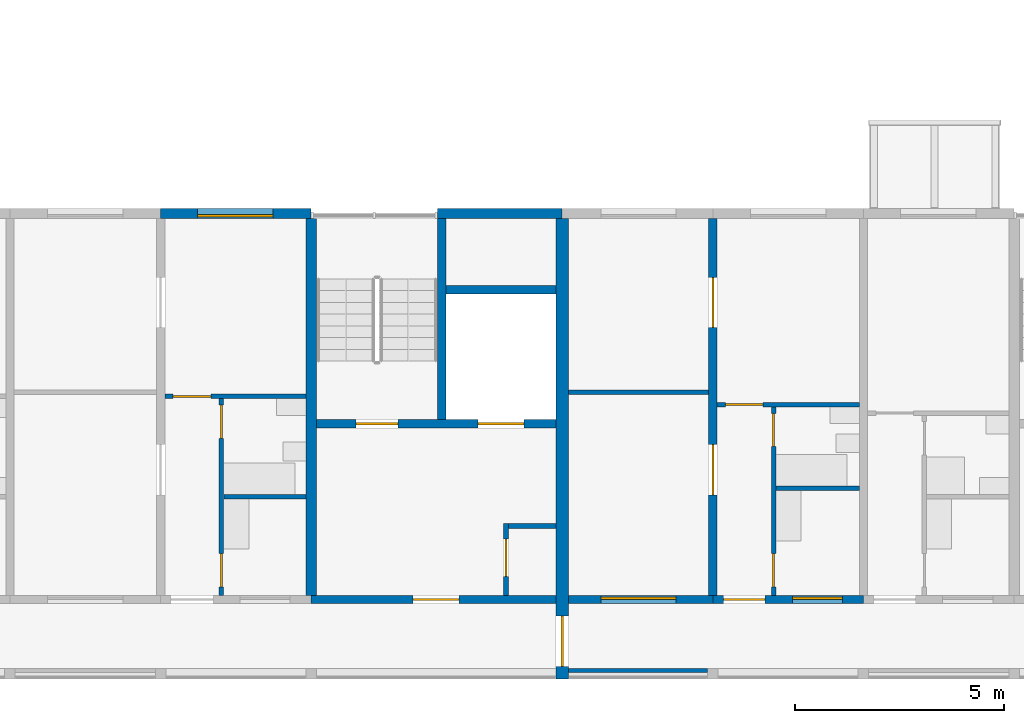
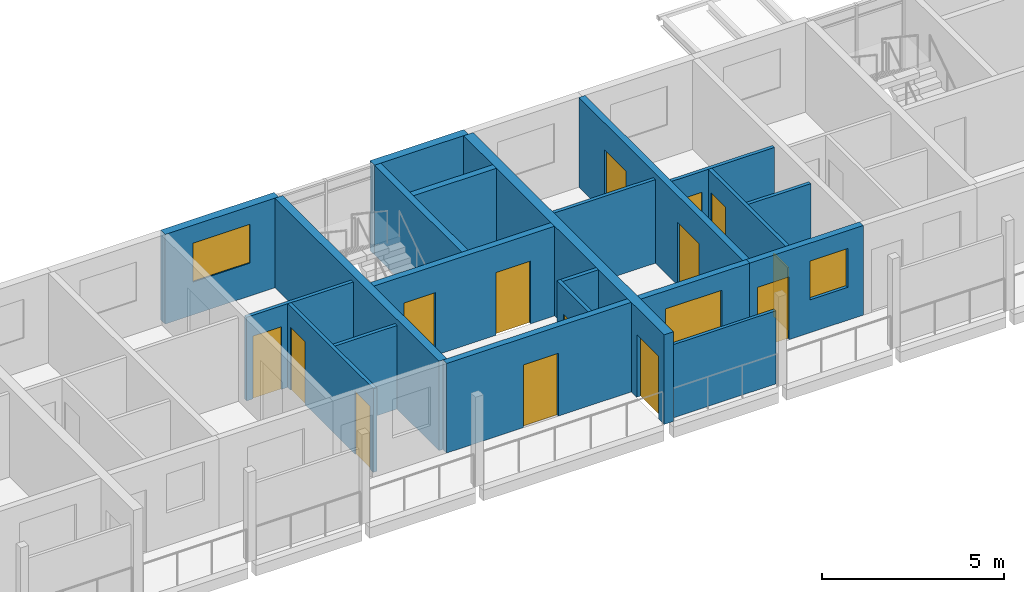
# One storey, part 46 of 94: 21 walls, 14 doors, 3 windows, 17 openings.
"""IFC4 building model written with IfcOpenShell, lengths in metres."""

from ifc_helpers import new_model, si_unit, direction, frame, frame_2d, origin, place, context, subcontext, project, spatial, rectangle, extrude, material, layer, layer_set, type_object, element, fill, save


model = new_model("IFC4")

# Units and contexts
model_context = context("Model", 3, precision=1e-05, world=origin(), true_north=direction((0.0, 1.0)))
body_context = subcontext(model_context, "Body", "Model", "MODEL_VIEW")
ifc_project = project(units=[si_unit("LENGTHUNIT", "METRE"), si_unit("AREAUNIT", "SQUARE_METRE"), si_unit("VOLUMEUNIT", "CUBIC_METRE"), si_unit("PLANEANGLEUNIT", "RADIAN"), si_unit("MASSUNIT", "GRAM", prefix="KILO")], contexts=[model_context])

# Site, building, storey
site_placement = place(None, origin())
site = spatial("IfcSite", under=ifc_project, at=site_placement, CompositionType="ELEMENT")
building_placement = place(site_placement, origin())
building = spatial("IfcBuilding", under=site, at=building_placement, Name="Ridgestep Commons", CompositionType="ELEMENT")
storey_placement = place(building_placement, frame((0.0, 0.0, 21.0)))
storey = spatial("IfcBuildingStorey", under=building, at=storey_placement, Name="L07", CompositionType="ELEMENT", Elevation=21.0)

# Wall
ifc_material_1 = material(Name="Concrete C30/37", Category="concrete")
ifc_layer_1 = layer(ifc_material_1, 0.25)
ifc_layer_set_1 = layer_set([ifc_layer_1], Name="Core cross wall 250")
wall_type_1 = type_object("IfcWallType", Name="Core cross wall 250", PredefinedType="SHEAR", material=ifc_layer_set_1)
wall_1_placement = place(storey_placement, frame((191.199951171875, 13.75, 0.0), z_axis=(0.0, 0.0, 1.0), x_axis=(0.0, 1.0, 0.0)))
element("IfcWall", 1, at=wall_1_placement, inside=storey, type_object=wall_type_1, Name="Cross wall D-07-1912", PredefinedType="SHEAR", context=body_context, shape_type="SweptSolid", body=[
    extrude(rectangle(XDim=9.0, YDim=0.25, at=frame_2d((4.5, 0.0))), origin(), (0.0, 0.0, 1.0), 3.0),
])

# Wall, opening, door
ifc_material_2 = material(Name="Concrete C30/37", Category="concrete")
ifc_layer_2 = layer(ifc_material_2, 0.199951171875)
ifc_layer_set_2 = layer_set([ifc_layer_2], Name="Core south wall 200")
wall_type_2 = type_object("IfcWallType", Name="Core south wall 200", PredefinedType="SHEAR", material=ifc_layer_set_2)
wall_2_placement = place(storey_placement, frame((191.199951171875, 13.64990234375, 0.0), z_axis=(0.0, 0.0, 1.0), x_axis=(1.0, 0.0, 0.0)))
wall_2 = element("IfcWall", 2, at=wall_2_placement, inside=storey, type_object=wall_type_2, Name="Core south wall D3C L07", PredefinedType="SHEAR", context=body_context, shape_type="SweptSolid", body=[
    extrude(rectangle(XDim=5.85009765625, YDim=0.199951171875, at=frame_2d((2.925048828125, 0.0))), origin(), (0.0, 0.0, 1.0), 3.0),
])
opening_1_placement = place(wall_2_placement, frame((2.4375, 0.0, 0.0)))
opening_1 = element("IfcOpeningElement", 3, at=opening_1_placement, cuts=wall_2, Name="Opening D3C/07/1", PredefinedType="OPENING", context=body_context, shape_type="SweptSolid", body=[
    extrude(rectangle(XDim=1.10009765625, YDim=2.10009765625, at=frame_2d((0.550048828125, 1.050048828125))), frame((0.0, 0.10986328125, 0.0), z_axis=(0.0, -1.0, 0.0), x_axis=(1.0, 0.0, 0.0)), (0.0, 0.0, 1.0), 0.219970703125),
])
ifc_material_3 = material(Name="Steel fire door", Category="steel")
door_type_1 = type_object("IfcDoorType", Name="Lobby door 1100 x 2100 FD60", OperationType="NOTDEFINED", PredefinedType="DOOR", material=ifc_material_3)
door_1_placement = place(opening_1_placement, origin())
door_1 = element("IfcDoor", 4, at=door_1_placement, inside=storey, type_object=door_type_1, Name="Lobby door D3C/07/1", OperationType="SINGLE_SWING_LEFT", OverallHeight=2.10009765625, OverallWidth=1.10009765625, PredefinedType="DOOR", context=body_context, shape_type="SweptSolid", body=[
    extrude(rectangle(XDim=1.10009765625, YDim=2.10009765625, at=frame_2d((0.550048828125, 1.050048828125))), frame((0.0, 0.02490234375, 0.0), z_axis=(0.0, -1.0, 0.0), x_axis=(1.0, 0.0, 0.0)), (0.0, 0.0, 1.0), 0.050048828125),
])
fill(opening_1, door_1)

ifc_material_4 = material(Name="Concrete C30/37", Category="concrete")
ifc_layer_3 = layer(ifc_material_4, 0.1201171875)
ifc_layer_set_3 = layer_set([ifc_layer_3], Name="Core wall 120")
wall_type_3 = type_object("IfcWallType", Name="Core wall 120", PredefinedType="SHEAR", material=ifc_layer_set_3)
wall_3_placement = place(storey_placement, frame((195.860107421875, 13.75, 0.0), z_axis=(0.0, 0.0, 1.0), x_axis=(0.0, 1.0, 0.0)))
wall_3 = element("IfcWall", 5, at=wall_3_placement, inside=storey, type_object=wall_type_3, Name="Core riser w wall D3C L07", PredefinedType="SHEAR", context=body_context, shape_type="SweptSolid", body=[
    extrude(rectangle(XDim=1.719970703125, YDim=0.1201171875, at=frame_2d((0.85986328125, 0.0))), origin(), (0.0, 0.0, 1.0), 3.0),
])
opening_2_placement = place(wall_3_placement, frame((0.449951171875, 0.0, 0.0)))
opening_2 = element("IfcOpeningElement", 6, at=opening_2_placement, cuts=wall_3, Name="Opening D3C/07/4", PredefinedType="OPENING", context=body_context, shape_type="SweptSolid", body=[
    extrude(rectangle(XDim=0.89990234375, YDim=2.10009765625, at=frame_2d((0.449951171875, 1.050048828125))), frame((0.0, 0.070068359375, 0.0), z_axis=(0.0, -1.0, 0.0), x_axis=(1.0, 0.0, 0.0)), (0.0, 0.0, 1.0), 0.14013671875),
])
ifc_material_5 = material(Name="Steel fire door", Category="steel")
door_type_2 = type_object("IfcDoorType", Name="Riser door 900 x 2100 FD60", OperationType="NOTDEFINED", PredefinedType="DOOR", material=ifc_material_5)
door_2_placement = place(opening_2_placement, origin())
door_2 = element("IfcDoor", 7, at=door_2_placement, inside=storey, type_object=door_type_2, Name="Riser door D3C/07/4", OperationType="SINGLE_SWING_LEFT", OverallHeight=2.10009765625, OverallWidth=0.89990234375, PredefinedType="DOOR", context=body_context, shape_type="SweptSolid", body=[
    extrude(rectangle(XDim=0.89990234375, YDim=2.10009765625, at=frame_2d((0.449951171875, 1.050048828125))), frame((0.0, 0.02490234375, 0.0), z_axis=(0.0, -1.0, 0.0), x_axis=(1.0, 0.0, 0.0)), (0.0, 0.0, 1.0), 0.050048828125),
])
fill(opening_2, door_2)

# Wall
wall_4_placement = place(storey_placement, frame((195.919921875, 15.409912109375, 0.0), z_axis=(0.0, 0.0, 1.0), x_axis=(1.0, 0.0, 0.0)))
element("IfcWall", 8, at=wall_4_placement, inside=storey, type_object=wall_type_3, Name="Core riser n wall D3C L07", PredefinedType="SHEAR", context=body_context, shape_type="SweptSolid", body=[
    extrude(rectangle(XDim=1.130126953125, YDim=0.1201171875, at=frame_2d((0.56494140625, 0.0))), origin(), (0.0, 0.0, 1.0), 3.0),
])

# Wall, openings, doors
ifc_material_6 = material(Name="Concrete C30/37", Category="concrete")
ifc_layer_4 = layer(ifc_material_6, 0.199951171875)
ifc_layer_set_4 = layer_set([ifc_layer_4], Name="Core wall 200")
wall_type_4 = type_object("IfcWallType", Name="Core wall 200", PredefinedType="SHEAR", material=ifc_layer_set_4)
wall_5_placement = place(storey_placement, frame((191.324951171875, 17.85009765625, 0.0), z_axis=(0.0, 0.0, 1.0), x_axis=(1.0, 0.0, 0.0)))
wall_5 = element("IfcWall", 9, at=wall_5_placement, inside=storey, type_object=wall_type_4, Name="Core lobby wall D3C L07", PredefinedType="SHEAR", context=body_context, shape_type="SweptSolid", body=[
    extrude(rectangle(XDim=5.72509765625, YDim=0.199951171875, at=frame_2d((2.862548828125, 0.0))), origin(), (0.0, 0.0, 1.0), 3.0),
])
opening_3_placement = place(wall_5_placement, frame((0.949951171875, 0.0, 0.0)))
opening_3 = element("IfcOpeningElement", 10, at=opening_3_placement, cuts=wall_5, Name="Opening D3C/07/2", PredefinedType="OPENING", context=body_context, shape_type="SweptSolid", body=[
    extrude(rectangle(XDim=1.0, YDim=2.10009765625, at=frame_2d((0.5, 1.050048828125))), frame((0.0, 0.10986328125, 0.0), z_axis=(0.0, -1.0, 0.0), x_axis=(1.0, 0.0, 0.0)), (0.0, 0.0, 1.0), 0.219970703125),
])
opening_4_placement = place(wall_5_placement, frame((3.862548828125, 0.0, 0.0)))
opening_4 = element("IfcOpeningElement", 11, at=opening_4_placement, cuts=wall_5, Name="Opening D3C/07/3", PredefinedType="OPENING", context=body_context, shape_type="SweptSolid", body=[
    extrude(rectangle(XDim=1.10009765625, YDim=2.10009765625, at=frame_2d((0.550048828125, 1.050048828125))), frame((0.0, 0.10986328125, 0.0), z_axis=(0.0, -1.0, 0.0), x_axis=(1.0, 0.0, 0.0)), (0.0, 0.0, 1.0), 0.219970703125),
])
ifc_material_7 = material(Name="Stainless steel", Category="steel")
door_type_3 = type_object("IfcDoorType", Name="Lift landing door 1100 x 2100 FD60", OperationType="DOUBLE_DOOR_SLIDING", PredefinedType="DOOR", material=ifc_material_7)
door_3_placement = place(opening_4_placement, origin())
door_3 = element("IfcDoor", 12, at=door_3_placement, inside=storey, type_object=door_type_3, Name="Landing door LD D3C L07", OperationType="DOUBLE_DOOR_SLIDING", OverallHeight=2.10009765625, OverallWidth=1.10009765625, PredefinedType="DOOR", context=body_context, shape_type="SweptSolid", body=[
    extrude(rectangle(XDim=1.10009765625, YDim=2.10009765625, at=frame_2d((0.550048828125, 1.050048828125))), frame((0.0, 0.02490234375, 0.0), z_axis=(0.0, -1.0, 0.0), x_axis=(1.0, 0.0, 0.0)), (0.0, 0.0, 1.0), 0.050048828125),
])
fill(opening_4, door_3)
ifc_material_8 = material(Name="Steel fire door", Category="steel")
door_type_4 = type_object("IfcDoorType", Name="Stair door 1000 x 2100 FD60", OperationType="NOTDEFINED", PredefinedType="DOOR", material=ifc_material_8)
door_4_placement = place(opening_3_placement, origin())
door_4 = element("IfcDoor", 13, at=door_4_placement, inside=storey, type_object=door_type_4, Name="Stair door D3C/07/2", OperationType="SINGLE_SWING_RIGHT", OverallHeight=2.10009765625, OverallWidth=1.0, PredefinedType="DOOR", context=body_context, shape_type="SweptSolid", body=[
    extrude(rectangle(XDim=1.0, YDim=2.10009765625, at=frame_2d((0.5, 1.050048828125))), frame((0.0, 0.02490234375, 0.0), z_axis=(0.0, -1.0, 0.0), x_axis=(1.0, 0.0, 0.0)), (0.0, 0.0, 1.0), 0.050048828125),
])
fill(opening_3, door_4)

# Walls
wall_6_placement = place(storey_placement, frame((194.324951171875, 17.949951171875, 0.0), z_axis=(0.0, 0.0, 1.0), x_axis=(0.0, 1.0, 0.0)))
element("IfcWall", 14, at=wall_6_placement, inside=storey, type_object=wall_type_4, Name="Core stair wall D3C L07", PredefinedType="SHEAR", context=body_context, shape_type="SweptSolid", body=[
    extrude(rectangle(XDim=4.800048828125, YDim=0.199951171875, at=frame_2d((2.39990234375, 0.0))), origin(), (0.0, 0.0, 1.0), 3.0),
])
wall_7_placement = place(storey_placement, frame((194.425048828125, 21.050048828125, 0.0), z_axis=(0.0, 0.0, 1.0), x_axis=(1.0, 0.0, 0.0)))
element("IfcWall", 15, at=wall_7_placement, inside=storey, type_object=wall_type_4, Name="Core duct wall D3C L07", PredefinedType="SHEAR", context=body_context, shape_type="SweptSolid", body=[
    extrude(rectangle(XDim=2.625, YDim=0.199951171875, at=frame_2d((1.3125, 0.0))), origin(), (0.0, 0.0, 1.0), 3.0),
])

# Wall, openings, doors
ifc_material_9 = material(Name="Precast concrete C40/50", Category="concrete")
ifc_layer_5 = layer(ifc_material_9, 0.199951171875)
ifc_layer_set_5 = layer_set([ifc_layer_5], Name="Cross wall 200")
wall_type_5 = type_object("IfcWallType", Name="Cross wall 200", PredefinedType="SHEAR", material=ifc_layer_set_5)
wall_8_placement = place(storey_placement, frame((200.800048828125, 13.75, 0.0), z_axis=(0.0, 0.0, 1.0), x_axis=(0.0, 1.0, 0.0)))
wall_8 = element("IfcWall", 16, at=wall_8_placement, inside=storey, type_object=wall_type_5, Name="Cross wall D-07-2008", PredefinedType="SHEAR", context=body_context, shape_type="SweptSolid", body=[
    extrude(rectangle(XDim=9.0, YDim=0.199951171875, at=frame_2d((4.5, 0.0))), origin(), (0.0, 0.0, 1.0), 3.0),
])
opening_5_placement = place(wall_8_placement, frame((2.39990234375, 0.0, 0.0)))
opening_5 = element("IfcOpeningElement", 17, at=opening_5_placement, cuts=wall_8, Name="Opening D4-07a/5", PredefinedType="OPENING", context=body_context, shape_type="SweptSolid", body=[
    extrude(rectangle(XDim=1.199951171875, YDim=2.10009765625, at=frame_2d((0.60009765625, 1.050048828125))), frame((0.0, 0.10986328125, 0.0), z_axis=(0.0, -1.0, 0.0), x_axis=(1.0, 0.0, 0.0)), (0.0, 0.0, 1.0), 0.219970703125),
])
opening_6_placement = place(wall_8_placement, frame((6.39990234375, 0.0, 0.0)))
opening_6 = element("IfcOpeningElement", 18, at=opening_6_placement, cuts=wall_8, Name="Opening D4-07a/6", PredefinedType="OPENING", context=body_context, shape_type="SweptSolid", body=[
    extrude(rectangle(XDim=1.199951171875, YDim=2.10009765625, at=frame_2d((0.60009765625, 1.050048828125))), frame((0.0, 0.10986328125, 0.0), z_axis=(0.0, -1.0, 0.0), x_axis=(1.0, 0.0, 0.0)), (0.0, 0.0, 1.0), 0.219970703125),
])
ifc_material_10 = material(Name="Timber door leaf", Category="wood")
door_type_5 = type_object("IfcDoorType", Name="Double door 1200 x 2100", OperationType="DOUBLE_DOOR_SINGLE_SWING", PredefinedType="DOOR", material=ifc_material_10)
door_5_placement = place(opening_5_placement, origin())
door_5 = element("IfcDoor", 19, at=door_5_placement, inside=storey, type_object=door_type_5, Name="Double door D4-07a/5", OperationType="DOUBLE_DOOR_SINGLE_SWING", OverallHeight=2.10009765625, OverallWidth=1.199951171875, PredefinedType="DOOR", context=body_context, shape_type="SweptSolid", body=[
    extrude(rectangle(XDim=1.199951171875, YDim=2.10009765625, at=frame_2d((0.60009765625, 1.050048828125))), frame((0.0, 0.02490234375, 0.0), z_axis=(0.0, -1.0, 0.0), x_axis=(1.0, 0.0, 0.0)), (0.0, 0.0, 1.0), 0.050048828125),
])
fill(opening_5, door_5)
door_6_placement = place(opening_6_placement, origin())
door_6 = element("IfcDoor", 20, at=door_6_placement, inside=storey, type_object=door_type_5, Name="Double door D4-07a/6", OperationType="DOUBLE_DOOR_SINGLE_SWING", OverallHeight=2.10009765625, OverallWidth=1.199951171875, PredefinedType="DOOR", context=body_context, shape_type="SweptSolid", body=[
    extrude(rectangle(XDim=1.199951171875, YDim=2.10009765625, at=frame_2d((0.60009765625, 1.050048828125))), frame((0.0, 0.02490234375, 0.0), z_axis=(0.0, -1.0, 0.0), x_axis=(1.0, 0.0, 0.0)), (0.0, 0.0, 1.0), 0.050048828125),
])
fill(opening_6, door_6)

# Wall, opening, door
ifc_material_11 = material(Name="Precast concrete C40/50", Category="concrete")
ifc_layer_6 = layer(ifc_material_11, 0.300048828125)
ifc_layer_set_6 = layer_set([ifc_layer_6], Name="Division wall 300")
wall_type_6 = type_object("IfcWallType", Name="Division wall 300", PredefinedType="SHEAR", material=ifc_layer_set_6)
wall_9_placement = place(storey_placement, frame((197.199951171875, 11.75, 0.0), z_axis=(0.0, 0.0, 1.0), x_axis=(0.0, 1.0, 0.0)))
wall_9 = element("IfcWall", 21, at=wall_9_placement, inside=storey, type_object=wall_type_6, Name="Cross wall D-07-1972", PredefinedType="SHEAR", context=body_context, shape_type="SweptSolid", body=[
    extrude(rectangle(XDim=11.0, YDim=0.300048828125, at=frame_2d((5.5, 0.0))), origin(), (0.0, 0.0, 1.0), 3.0),
])
opening_7_placement = place(wall_9_placement, frame((0.300048828125, 0.0, 0.0)))
opening_7 = element("IfcOpeningElement", 22, at=opening_7_placement, cuts=wall_9, Name="Opening D/07/G1972", PredefinedType="OPENING", context=body_context, shape_type="SweptSolid", body=[
    extrude(rectangle(XDim=1.199951171875, YDim=2.10009765625, at=frame_2d((0.60009765625, 1.050048828125))), frame((0.0, 0.159912109375, 0.0), z_axis=(0.0, -1.0, 0.0), x_axis=(1.0, 0.0, 0.0)), (0.0, 0.0, 1.0), 0.320068359375),
])
ifc_material_12 = material(Name="Steel fire door", Category="steel")
door_type_6 = type_object("IfcDoorType", Name="Division fire door 1200 x 2100 EI 240", OperationType="DOUBLE_DOOR_SINGLE_SWING", PredefinedType="DOOR", material=ifc_material_12)
door_7_placement = place(opening_7_placement, origin())
door_7 = element("IfcDoor", 23, at=door_7_placement, inside=storey, type_object=door_type_6, Name="Division fire door D/07/G1972", OperationType="DOUBLE_DOOR_SINGLE_SWING", OverallHeight=2.10009765625, OverallWidth=1.199951171875, PredefinedType="DOOR", context=body_context, shape_type="SweptSolid", body=[
    extrude(rectangle(XDim=1.199951171875, YDim=2.10009765625, at=frame_2d((0.60009765625, 1.050048828125))), frame((0.0, 0.02490234375, 0.0), z_axis=(0.0, -1.0, 0.0), x_axis=(1.0, 0.0, 0.0)), (0.0, 0.0, 1.0), 0.050048828125),
])
fill(opening_7, door_7)

# Wall, opening, window
ifc_material_13 = material(Name="Precast concrete C40/50", Category="concrete")
ifc_layer_7 = layer(ifc_material_13, 0.25)
ifc_layer_set_7 = layer_set([ifc_layer_7], Name="North facade panel 250")
wall_type_7 = type_object("IfcWallType", Name="North facade panel 250", PredefinedType="SOLIDWALL", material=ifc_layer_set_7)
wall_10_placement = place(storey_placement, frame((187.60009765625, 22.875, 0.0), z_axis=(0.0, 0.0, 1.0), x_axis=(1.0, 0.0, 0.0)))
wall_10 = element("IfcWall", 24, at=wall_10_placement, inside=storey, type_object=wall_type_7, Name="North panel D3T3 L07", PredefinedType="SOLIDWALL", context=body_context, shape_type="SweptSolid", body=[
    extrude(rectangle(XDim=3.599853515625, YDim=0.25, at=frame_2d((1.7998046875, 0.0))), origin(), (0.0, 0.0, 1.0), 3.0),
])
opening_8_placement = place(wall_10_placement, frame((0.887451171875, 0.0, 1.10009765625)))
opening_8 = element("IfcOpeningElement", 25, at=opening_8_placement, cuts=wall_10, Name="Opening W18", PredefinedType="OPENING", context=body_context, shape_type="SweptSolid", body=[
    extrude(rectangle(XDim=1.800048828125, YDim=1.300048828125, at=frame_2d((0.89990234375, 0.64990234375))), frame((0.0, 0.135009765625, 0.0), z_axis=(0.0, -1.0, 0.0), x_axis=(1.0, 0.0, 0.0)), (0.0, 0.0, 1.0), 0.27001953125),
])
ifc_material_14 = material(Name="Aluminium 6063-T6 and glass", Category="aluminium")
window_type_1 = type_object("IfcWindowType", Name="Flat window 1800 x 1300", PartitioningType="DOUBLE_PANEL_VERTICAL", PredefinedType="WINDOW", material=ifc_material_14)
window_1_placement = place(opening_8_placement, origin())
window_1 = element("IfcWindow", 26, at=window_1_placement, inside=storey, type_object=window_type_1, Name="Window D3-07b 4", OverallHeight=1.300048828125, OverallWidth=1.800048828125, PartitioningType="SINGLE_PANEL", PredefinedType="WINDOW", context=body_context, shape_type="SweptSolid", body=[
    extrude(rectangle(XDim=1.800048828125, YDim=1.300048828125, at=frame_2d((0.89990234375, 0.64990234375))), frame((0.0, -0.02490234375, 0.0), z_axis=(0.0, -1.0, 0.0), x_axis=(1.0, 0.0, 0.0)), (0.0, 0.0, 1.0), 0.06005859375),
])
fill(opening_8, window_1)

# Wall
wall_11_placement = place(storey_placement, frame((194.22509765625, 22.875, 0.0), z_axis=(0.0, 0.0, 1.0), x_axis=(1.0, 0.0, 0.0)))
element("IfcWall", 27, at=wall_11_placement, inside=storey, type_object=wall_type_7, Name="North panel D3C L07", PredefinedType="SOLIDWALL", context=body_context, shape_type="SweptSolid", body=[
    extrude(rectangle(XDim=2.974853515625, YDim=0.25, at=frame_2d((1.4873046875, 0.0))), origin(), (0.0, 0.0, 1.0), 3.0),
])

# Wall, openings, doors
ifc_material_15 = material(Name="Common brick 110 mm", Category="masonry")
ifc_layer_8 = layer(ifc_material_15, 0.110107421875)
ifc_layer_set_8 = layer_set([ifc_layer_8], Name="Partition 110")
wall_type_8 = type_object("IfcWallType", Name="Partition 110", PredefinedType="PARTITIONING", material=ifc_layer_set_8)
wall_12_placement = place(storey_placement, frame((189.054931640625, 13.75, 0.0), z_axis=(0.0, 0.0, 1.0), x_axis=(0.0, 1.0, 0.0)))
wall_12 = element("IfcWall", 28, at=wall_12_placement, inside=storey, type_object=wall_type_8, Name="Partition D3-07b", PredefinedType="PARTITIONING", context=body_context, shape_type="SweptSolid", body=[
    extrude(rectangle(XDim=4.699951171875, YDim=0.110107421875, at=frame_2d((2.35009765625, 0.0))), origin(), (0.0, 0.0, 1.0), 2.800048828125),
])
opening_9_placement = place(wall_12_placement, frame((0.199951171875, 0.0, 0.0)))
opening_9 = element("IfcOpeningElement", 29, at=opening_9_placement, cuts=wall_12, Name="Opening D3-07b/2", PredefinedType="OPENING", context=body_context, shape_type="SweptSolid", body=[
    extrude(rectangle(XDim=0.800048828125, YDim=2.10009765625, at=frame_2d((0.39990234375, 1.050048828125))), frame((0.0, 0.06494140625, 0.0), z_axis=(0.0, -1.0, 0.0), x_axis=(1.0, 0.0, 0.0)), (0.0, 0.0, 1.0), 0.130126953125),
])
opening_10_placement = place(wall_12_placement, frame((3.75, 0.0, 0.0)))
opening_10 = element("IfcOpeningElement", 30, at=opening_10_placement, cuts=wall_12, Name="Opening D3-07b/3", PredefinedType="OPENING", context=body_context, shape_type="SweptSolid", body=[
    extrude(rectangle(XDim=0.800048828125, YDim=2.10009765625, at=frame_2d((0.39990234375, 1.050048828125))), frame((0.0, 0.06494140625, 0.0), z_axis=(0.0, -1.0, 0.0), x_axis=(1.0, 0.0, 0.0)), (0.0, 0.0, 1.0), 0.130126953125),
])
ifc_material_16 = material(Name="Timber door leaf", Category="wood")
door_type_7 = type_object("IfcDoorType", Name="Internal door 800 x 2100", OperationType="NOTDEFINED", PredefinedType="DOOR", material=ifc_material_16)
door_8_placement = place(opening_9_placement, origin())
door_8 = element("IfcDoor", 31, at=door_8_placement, inside=storey, type_object=door_type_7, Name="Internal door D3-07b/2", OperationType="SINGLE_SWING_RIGHT", OverallHeight=2.10009765625, OverallWidth=0.800048828125, PredefinedType="DOOR", context=body_context, shape_type="SweptSolid", body=[
    extrude(rectangle(XDim=0.800048828125, YDim=2.10009765625, at=frame_2d((0.39990234375, 1.050048828125))), frame((0.0, 0.02490234375, 0.0), z_axis=(0.0, -1.0, 0.0), x_axis=(1.0, 0.0, 0.0)), (0.0, 0.0, 1.0), 0.050048828125),
])
fill(opening_9, door_8)
door_9_placement = place(opening_10_placement, origin())
door_9 = element("IfcDoor", 32, at=door_9_placement, inside=storey, type_object=door_type_7, Name="Internal door D3-07b/3", OperationType="SINGLE_SWING_LEFT", OverallHeight=2.10009765625, OverallWidth=0.800048828125, PredefinedType="DOOR", context=body_context, shape_type="SweptSolid", body=[
    extrude(rectangle(XDim=0.800048828125, YDim=2.10009765625, at=frame_2d((0.39990234375, 1.050048828125))), frame((0.0, 0.02490234375, 0.0), z_axis=(0.0, -1.0, 0.0), x_axis=(1.0, 0.0, 0.0)), (0.0, 0.0, 1.0), 0.050048828125),
])
fill(opening_10, door_9)

# Wall
wall_13_placement = place(storey_placement, frame((189.110107421875, 16.10498046875, 0.0), z_axis=(0.0, 0.0, 1.0), x_axis=(1.0, 0.0, 0.0)))
element("IfcWall", 33, at=wall_13_placement, inside=storey, type_object=wall_type_8, Name="Partition D3-07b", PredefinedType="PARTITIONING", context=body_context, shape_type="SweptSolid", body=[
    extrude(rectangle(XDim=1.96484375, YDim=0.110107421875, at=frame_2d((0.982421875, 0.0))), origin(), (0.0, 0.0, 1.0), 2.800048828125),
])

# Wall, opening, door
wall_14_placement = place(storey_placement, frame((187.699951171875, 18.5048828125, 0.0), z_axis=(0.0, 0.0, 1.0), x_axis=(1.0, 0.0, 0.0)))
wall_14 = element("IfcWall", 34, at=wall_14_placement, inside=storey, type_object=wall_type_8, Name="Partition D3-07b", PredefinedType="PARTITIONING", context=body_context, shape_type="SweptSolid", body=[
    extrude(rectangle(XDim=3.375, YDim=0.110107421875, at=frame_2d((1.6875, 0.0))), origin(), (0.0, 0.0, 1.0), 2.800048828125),
])
opening_11_placement = place(wall_14_placement, frame((0.199951171875, 0.0, 0.0)))
opening_11 = element("IfcOpeningElement", 35, at=opening_11_placement, cuts=wall_14, Name="Opening D3-07b/4", PredefinedType="OPENING", context=body_context, shape_type="SweptSolid", body=[
    extrude(rectangle(XDim=0.89990234375, YDim=2.10009765625, at=frame_2d((0.449951171875, 1.050048828125))), frame((0.0, 0.06494140625, 0.0), z_axis=(0.0, -1.0, 0.0), x_axis=(1.0, 0.0, 0.0)), (0.0, 0.0, 1.0), 0.130126953125),
])
ifc_material_17 = material(Name="Timber door leaf", Category="wood")
door_type_8 = type_object("IfcDoorType", Name="Internal door 900 x 2100", OperationType="NOTDEFINED", PredefinedType="DOOR", material=ifc_material_17)
door_10_placement = place(opening_11_placement, origin())
door_10 = element("IfcDoor", 36, at=door_10_placement, inside=storey, type_object=door_type_8, Name="Internal door D3-07b/4", OperationType="SINGLE_SWING_LEFT", OverallHeight=2.10009765625, OverallWidth=0.89990234375, PredefinedType="DOOR", context=body_context, shape_type="SweptSolid", body=[
    extrude(rectangle(XDim=0.89990234375, YDim=2.10009765625, at=frame_2d((0.449951171875, 1.050048828125))), frame((0.0, 0.02490234375, 0.0), z_axis=(0.0, -1.0, 0.0), x_axis=(1.0, 0.0, 0.0)), (0.0, 0.0, 1.0), 0.050048828125),
])
fill(opening_11, door_10)

# Wall, openings, doors
wall_15_placement = place(storey_placement, frame((202.2548828125, 13.75, 0.0), z_axis=(0.0, 0.0, 1.0), x_axis=(0.0, 1.0, 0.0)))
wall_15 = element("IfcWall", 37, at=wall_15_placement, inside=storey, type_object=wall_type_8, Name="Partition D4-07a", PredefinedType="PARTITIONING", context=body_context, shape_type="SweptSolid", body=[
    extrude(rectangle(XDim=4.5, YDim=0.110107421875, at=frame_2d((2.25, 0.0))), origin(), (0.0, 0.0, 1.0), 2.800048828125),
])
opening_12_placement = place(wall_15_placement, frame((0.199951171875, 0.0, 0.0)))
opening_12 = element("IfcOpeningElement", 38, at=opening_12_placement, cuts=wall_15, Name="Opening D4-07a/2", PredefinedType="OPENING", context=body_context, shape_type="SweptSolid", body=[
    extrude(rectangle(XDim=0.800048828125, YDim=2.10009765625, at=frame_2d((0.39990234375, 1.050048828125))), frame((0.0, 0.06494140625, 0.0), z_axis=(0.0, -1.0, 0.0), x_axis=(1.0, 0.0, 0.0)), (0.0, 0.0, 1.0), 0.130126953125),
])
opening_13_placement = place(wall_15_placement, frame((3.550048828125, 0.0, 0.0)))
opening_13 = element("IfcOpeningElement", 39, at=opening_13_placement, cuts=wall_15, Name="Opening D4-07a/3", PredefinedType="OPENING", context=body_context, shape_type="SweptSolid", body=[
    extrude(rectangle(XDim=0.800048828125, YDim=2.10009765625, at=frame_2d((0.39990234375, 1.050048828125))), frame((0.0, 0.06494140625, 0.0), z_axis=(0.0, -1.0, 0.0), x_axis=(1.0, 0.0, 0.0)), (0.0, 0.0, 1.0), 0.130126953125),
])
door_11_placement = place(opening_12_placement, origin())
door_11 = element("IfcDoor", 40, at=door_11_placement, inside=storey, type_object=door_type_7, Name="Internal door D4-07a/2", OperationType="SINGLE_SWING_RIGHT", OverallHeight=2.10009765625, OverallWidth=0.800048828125, PredefinedType="DOOR", context=body_context, shape_type="SweptSolid", body=[
    extrude(rectangle(XDim=0.800048828125, YDim=2.10009765625, at=frame_2d((0.39990234375, 1.050048828125))), frame((0.0, 0.02490234375, 0.0), z_axis=(0.0, -1.0, 0.0), x_axis=(1.0, 0.0, 0.0)), (0.0, 0.0, 1.0), 0.050048828125),
])
fill(opening_12, door_11)
door_12_placement = place(opening_13_placement, origin())
door_12 = element("IfcDoor", 41, at=door_12_placement, inside=storey, type_object=door_type_7, Name="Internal door D4-07a/3", OperationType="SINGLE_SWING_LEFT", OverallHeight=2.10009765625, OverallWidth=0.800048828125, PredefinedType="DOOR", context=body_context, shape_type="SweptSolid", body=[
    extrude(rectangle(XDim=0.800048828125, YDim=2.10009765625, at=frame_2d((0.39990234375, 1.050048828125))), frame((0.0, 0.02490234375, 0.0), z_axis=(0.0, -1.0, 0.0), x_axis=(1.0, 0.0, 0.0)), (0.0, 0.0, 1.0), 0.050048828125),
])
fill(opening_13, door_12)

# Wall
wall_16_placement = place(storey_placement, frame((202.31005859375, 16.304931640625, 0.0), z_axis=(0.0, 0.0, 1.0), x_axis=(1.0, 0.0, 0.0)))
element("IfcWall", 42, at=wall_16_placement, inside=storey, type_object=wall_type_8, Name="Partition D4-07a", PredefinedType="PARTITIONING", context=body_context, shape_type="SweptSolid", body=[
    extrude(rectangle(XDim=1.989990234375, YDim=0.110107421875, at=frame_2d((0.9951171875, 0.0))), origin(), (0.0, 0.0, 1.0), 2.800048828125),
])

# Wall, opening, door
wall_17_placement = place(storey_placement, frame((200.89990234375, 18.304931640625, 0.0), z_axis=(0.0, 0.0, 1.0), x_axis=(1.0, 0.0, 0.0)))
wall_17 = element("IfcWall", 43, at=wall_17_placement, inside=storey, type_object=wall_type_8, Name="Partition D4-07a", PredefinedType="PARTITIONING", context=body_context, shape_type="SweptSolid", body=[
    extrude(rectangle(XDim=3.400146484375, YDim=0.110107421875, at=frame_2d((1.7001953125, 0.0))), origin(), (0.0, 0.0, 1.0), 2.800048828125),
])
opening_14_placement = place(wall_17_placement, frame((0.199951171875, 0.0, 0.0)))
opening_14 = element("IfcOpeningElement", 44, at=opening_14_placement, cuts=wall_17, Name="Opening D4-07a/4", PredefinedType="OPENING", context=body_context, shape_type="SweptSolid", body=[
    extrude(rectangle(XDim=0.89990234375, YDim=2.10009765625, at=frame_2d((0.449951171875, 1.050048828125))), frame((0.0, 0.06494140625, 0.0), z_axis=(0.0, -1.0, 0.0), x_axis=(1.0, 0.0, 0.0)), (0.0, 0.0, 1.0), 0.130126953125),
])
door_13_placement = place(opening_14_placement, origin())
door_13 = element("IfcDoor", 45, at=door_13_placement, inside=storey, type_object=door_type_8, Name="Internal door D4-07a/4", OperationType="SINGLE_SWING_LEFT", OverallHeight=2.10009765625, OverallWidth=0.89990234375, PredefinedType="DOOR", context=body_context, shape_type="SweptSolid", body=[
    extrude(rectangle(XDim=0.89990234375, YDim=2.10009765625, at=frame_2d((0.449951171875, 1.050048828125))), frame((0.0, 0.02490234375, 0.0), z_axis=(0.0, -1.0, 0.0), x_axis=(1.0, 0.0, 0.0)), (0.0, 0.0, 1.0), 0.050048828125),
])
fill(opening_14, door_13)

# Walls
wall_18_placement = place(storey_placement, frame((197.35009765625, 18.60498046875, 0.0), z_axis=(0.0, 0.0, 1.0), x_axis=(1.0, 0.0, 0.0)))
element("IfcWall", 46, at=wall_18_placement, inside=storey, type_object=wall_type_8, Name="Partition D4-07a", PredefinedType="PARTITIONING", context=body_context, shape_type="SweptSolid", body=[
    extrude(rectangle(XDim=3.349853515625, YDim=0.110107421875, at=frame_2d((1.6748046875, 0.0))), origin(), (0.0, 0.0, 1.0), 2.800048828125),
])
ifc_material_18 = material(Name="Precast concrete C30/37", Category="concrete")
ifc_layer_9 = layer(ifc_material_18, 0.10009765625)
ifc_layer_set_9 = layer_set([ifc_layer_9], Name="Perforated gallery screen 3325 x 2450 x 100")
wall_type_9 = type_object("IfcWallType", Name="Perforated gallery screen 3325 x 2450 x 100", PredefinedType="SOLIDWALL", material=ifc_layer_set_9)
wall_19_placement = place(storey_placement, frame((197.35009765625, 11.949951171875, 0.0), z_axis=(0.0, 0.0, 1.0), x_axis=(1.0, 0.0, 0.0)))
element("IfcWall", 47, at=wall_19_placement, inside=storey, type_object=wall_type_9, Name="Gallery screen D4T1 07", PredefinedType="SOLIDWALL", context=body_context, shape_type="SweptSolid", body=[
    extrude(rectangle(XDim=3.324951171875, YDim=0.10009765625, at=frame_2d((1.66259765625, 0.0))), origin(), (0.0, 0.0, 1.0), 2.449951171875),
])

# Wall, opening, window
ifc_material_19 = material(Name="Precast concrete C40/50", Category="concrete")
ifc_layer_10 = layer(ifc_material_19, 0.199951171875)
ifc_layer_set_10 = layer_set([ifc_layer_10], Name="South facade panel 200")
wall_type_10 = type_object("IfcWallType", Name="South facade panel 200", PredefinedType="SOLIDWALL", material=ifc_layer_set_10)
wall_20_placement = place(storey_placement, frame((197.35009765625, 13.64990234375, 0.0), z_axis=(0.0, 0.0, 1.0), x_axis=(1.0, 0.0, 0.0)))
wall_20 = element("IfcWall", 48, at=wall_20_placement, inside=storey, type_object=wall_type_10, Name="South panel D4T1 L07", PredefinedType="SOLIDWALL", context=body_context, shape_type="SweptSolid", body=[
    extrude(rectangle(XDim=3.449951171875, YDim=0.199951171875, at=frame_2d((1.72509765625, 0.0))), origin(), (0.0, 0.0, 1.0), 3.0),
])
opening_15_placement = place(wall_20_placement, frame((0.77490234375, 0.0, 1.10009765625)))
opening_15 = element("IfcOpeningElement", 49, at=opening_15_placement, cuts=wall_20, Name="Opening W18", PredefinedType="OPENING", context=body_context, shape_type="SweptSolid", body=[
    extrude(rectangle(XDim=1.800048828125, YDim=1.300048828125, at=frame_2d((0.89990234375, 0.64990234375))), frame((0.0, 0.10986328125, 0.0), z_axis=(0.0, -1.0, 0.0), x_axis=(1.0, 0.0, 0.0)), (0.0, 0.0, 1.0), 0.219970703125),
])
window_2_placement = place(opening_15_placement, origin())
window_2 = element("IfcWindow", 50, at=window_2_placement, inside=storey, type_object=window_type_1, Name="Window D4-07a 1", OverallHeight=1.300048828125, OverallWidth=1.800048828125, PartitioningType="SINGLE_PANEL", PredefinedType="WINDOW", context=body_context, shape_type="SweptSolid", body=[
    extrude(rectangle(XDim=1.800048828125, YDim=1.300048828125, at=frame_2d((0.89990234375, 0.64990234375))), frame((0.0, 0.06005859375, 0.0), z_axis=(0.0, -1.0, 0.0), x_axis=(1.0, 0.0, 0.0)), (0.0, 0.0, 1.0), 0.06005859375),
])
fill(opening_15, window_2)

# Wall, openings, door, window
wall_21_placement = place(storey_placement, frame((200.800048828125, 13.64990234375, 0.0), z_axis=(0.0, 0.0, 1.0), x_axis=(1.0, 0.0, 0.0)))
wall_21 = element("IfcWall", 51, at=wall_21_placement, inside=storey, type_object=wall_type_10, Name="South panel D4T2 L07", PredefinedType="SOLIDWALL", context=body_context, shape_type="SweptSolid", body=[
    extrude(rectangle(XDim=3.599853515625, YDim=0.199951171875, at=frame_2d((1.7998046875, 0.0))), origin(), (0.0, 0.0, 1.0), 3.0),
])
opening_16_placement = place(wall_21_placement, frame((1.905029296875, 0.0, 1.10009765625)))
opening_16 = element("IfcOpeningElement", 52, at=opening_16_placement, cuts=wall_21, Name="Opening W08", PredefinedType="OPENING", context=body_context, shape_type="SweptSolid", body=[
    extrude(rectangle(XDim=1.199951171875, YDim=1.300048828125, at=frame_2d((0.60009765625, 0.64990234375))), frame((0.0, 0.10986328125, 0.0), z_axis=(0.0, -1.0, 0.0), x_axis=(1.0, 0.0, 0.0)), (0.0, 0.0, 1.0), 0.219970703125),
])
opening_17_placement = place(wall_21_placement, frame((0.25, 0.0, 0.0)))
opening_17 = element("IfcOpeningElement", 53, at=opening_17_placement, cuts=wall_21, Name="Opening D4-07a/1", PredefinedType="OPENING", context=body_context, shape_type="SweptSolid", body=[
    extrude(rectangle(XDim=1.0, YDim=2.10009765625, at=frame_2d((0.5, 1.050048828125))), frame((0.0, 0.10986328125, 0.0), z_axis=(0.0, -1.0, 0.0), x_axis=(1.0, 0.0, 0.0)), (0.0, 0.0, 1.0), 0.219970703125),
])
ifc_material_20 = material(Name="Timber door leaf", Category="wood")
door_type_9 = type_object("IfcDoorType", Name="Flat entrance door 1000 x 2100 FD30S", OperationType="NOTDEFINED", PredefinedType="DOOR", material=ifc_material_20)
door_14_placement = place(opening_17_placement, origin())
door_14 = element("IfcDoor", 54, at=door_14_placement, inside=storey, type_object=door_type_9, Name="Flat entrance door D4-07a/1", OperationType="SINGLE_SWING_LEFT", OverallHeight=2.10009765625, OverallWidth=1.0, PredefinedType="DOOR", context=body_context, shape_type="SweptSolid", body=[
    extrude(rectangle(XDim=1.0, YDim=2.10009765625, at=frame_2d((0.5, 1.050048828125))), frame((0.0, 0.02490234375, 0.0), z_axis=(0.0, -1.0, 0.0), x_axis=(1.0, 0.0, 0.0)), (0.0, 0.0, 1.0), 0.050048828125),
])
fill(opening_17, door_14)
ifc_material_21 = material(Name="Aluminium 6063-T6 and glass", Category="aluminium")
window_type_2 = type_object("IfcWindowType", Name="Flat window 1200 x 1300", PartitioningType="SINGLE_PANEL", PredefinedType="WINDOW", material=ifc_material_21)
window_3_placement = place(opening_16_placement, origin())
window_3 = element("IfcWindow", 55, at=window_3_placement, inside=storey, type_object=window_type_2, Name="Window D4-07a 3", OverallHeight=1.300048828125, OverallWidth=1.199951171875, PartitioningType="SINGLE_PANEL", PredefinedType="WINDOW", context=body_context, shape_type="SweptSolid", body=[
    extrude(rectangle(XDim=1.199951171875, YDim=1.300048828125, at=frame_2d((0.60009765625, 0.64990234375))), frame((0.0, 0.06005859375, 0.0), z_axis=(0.0, -1.0, 0.0), x_axis=(1.0, 0.0, 0.0)), (0.0, 0.0, 1.0), 0.06005859375),
])
fill(opening_16, window_3)

save(model, "model.ifc")
